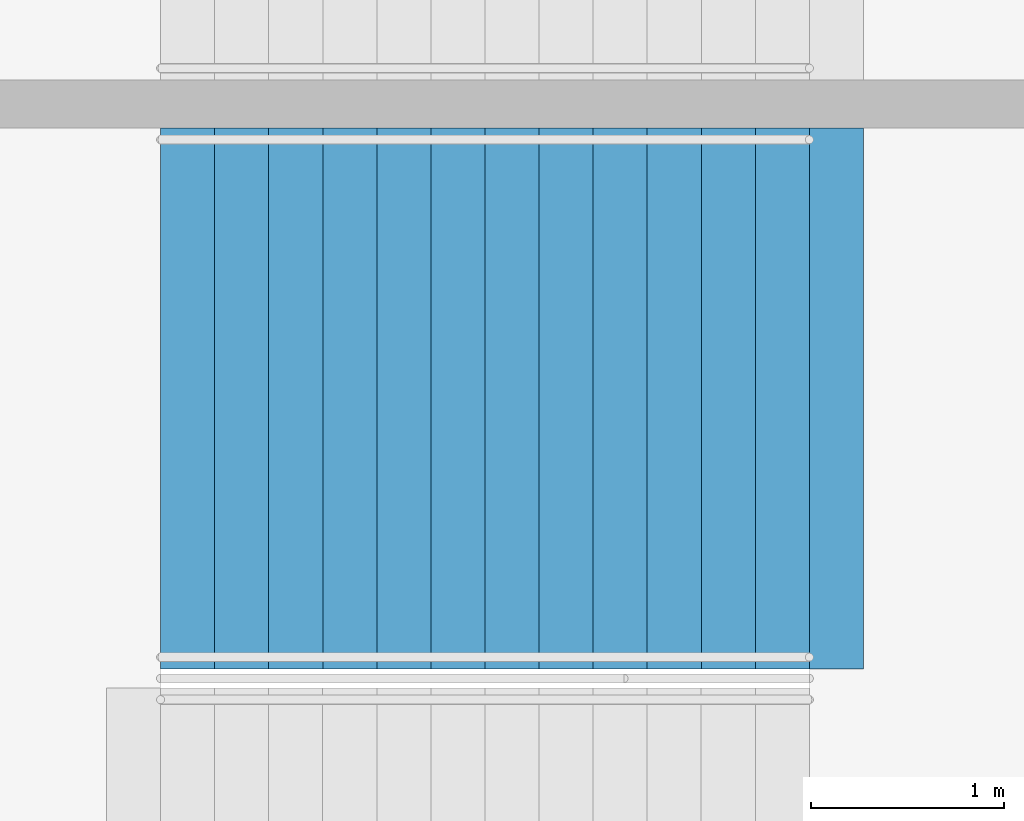
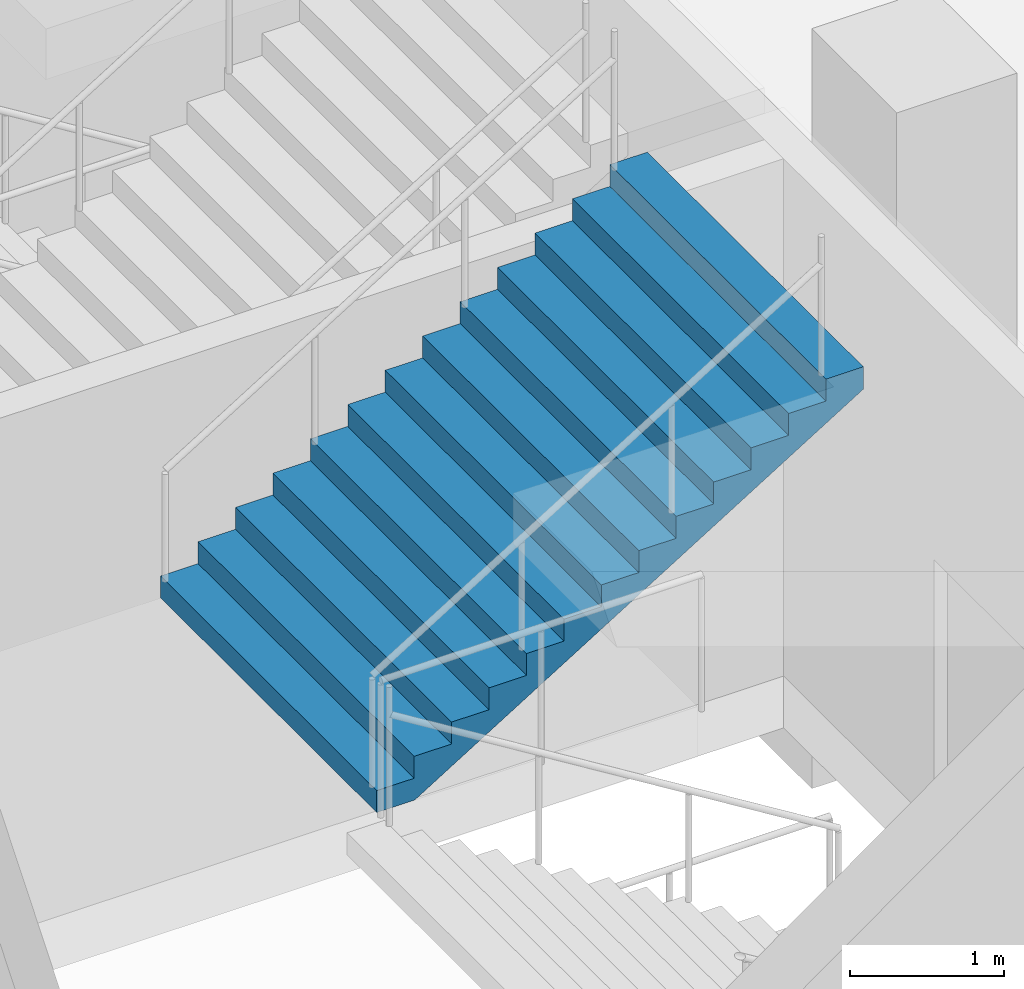
# One storey, part 132 of 199: 1 stair flight, 1 element without a shape of its own.
"""IFC4 building model written with IfcOpenShell, lengths in metres."""

from ifc_helpers import new_model, si_unit, direction, frame, origin, place, context, subcontext, project, spatial, faceted_brep, material, type_object, element, aggregate, save


model = new_model("IFC4")

# Units and contexts
model_context = context("Model", 3, precision=1e-05, world=origin(), true_north=direction((0.0, 1.0)))
body_context = subcontext(model_context, "Body", "Model", "MODEL_VIEW")
ifc_project = project(units=[si_unit("LENGTHUNIT", "METRE"), si_unit("AREAUNIT", "SQUARE_METRE"), si_unit("VOLUMEUNIT", "CUBIC_METRE"), si_unit("PLANEANGLEUNIT", "RADIAN"), si_unit("MASSUNIT", "GRAM", prefix="KILO")], contexts=[model_context])

# Site, building, storey
site_placement = place(None, origin())
site = spatial("IfcSite", under=ifc_project, at=site_placement, CompositionType="ELEMENT")
building_placement = place(site_placement, origin())
building = spatial("IfcBuilding", under=site, at=building_placement, Name="Ogive Plaza Stadium", CompositionType="ELEMENT")
storey_placement = place(building_placement, frame((0.0, 0.0, 9.0)))
storey = spatial("IfcBuildingStorey", under=building, at=storey_placement, Name="L02", CompositionType="ELEMENT", Elevation=9.0)

# Stair, stair flight
ifc_material_1 = material(Name="Concrete C40/50", Category="concrete")
stair_type = type_object("IfcStairType", Name="Exit stair", PredefinedType="STRAIGHT_RUN_STAIR", material=ifc_material_1)
stair_placement = place(storey_placement, origin())
stair = element("IfcStair", 1, at=stair_placement, inside=storey, type_object=stair_type, Name="Exit stair ST26B L02 to L03", PredefinedType="STRAIGHT_RUN_STAIR")
ifc_material_2 = material(Name="Concrete C40/50", Category="concrete")
stair_flight_type = type_object("IfcStairFlightType", Name="Exit stair flight", PredefinedType="STRAIGHT", material=ifc_material_2)
stair_flight_placement = place(storey_placement, frame((-79.7099609375, 20.97509765625, 2.25), z_axis=(0.0, 0.0, 1.0), x_axis=(1.0, 0.0, 0.0)))
stair_flight = element("IfcStairFlight", 2, at=stair_flight_placement, type_object=stair_flight_type, Name="ST26B flight 2", NumberOfRisers=13, NumberOfTreads=12, PredefinedType="STRAIGHT", RiserHeight=0.173076923, TreadLength=0.28, context=body_context, shape_type="Brep", body=[
    faceted_brep([(0.28515625, -1.39990234375, 0.0), (3.639892578125, -1.39990234375, 2.07373046875), (3.639892578125, -1.39990234375, 2.25), (3.360107421875, -1.39990234375, 2.25), (3.360107421875, -1.39990234375, 2.076904296875), (3.080078125, -1.39990234375, 2.076904296875), (3.080078125, -1.39990234375, 1.90380859375), (2.800048828125, -1.39990234375, 1.90380859375), (2.800048828125, -1.39990234375, 1.730712890625), (2.52001953125, -1.39990234375, 1.730712890625), (2.52001953125, -1.39990234375, 1.5576171875), (2.239990234375, -1.39990234375, 1.5576171875), (2.239990234375, -1.39990234375, 1.384521484375), (1.9599609375, -1.39990234375, 1.384521484375), (1.9599609375, -1.39990234375, 1.21142578125), (1.679931640625, -1.39990234375, 1.21142578125), (1.679931640625, -1.39990234375, 1.03857421875), (1.39990234375, -1.39990234375, 1.03857421875), (1.39990234375, -1.39990234375, 0.865478515625), (1.1201171875, -1.39990234375, 0.865478515625), (1.1201171875, -1.39990234375, 0.6923828125), (0.840087890625, -1.39990234375, 0.6923828125), (0.840087890625, -1.39990234375, 0.519287109375), (0.56005859375, -1.39990234375, 0.519287109375), (0.56005859375, -1.39990234375, 0.34619140625), (0.280029296875, -1.39990234375, 0.34619140625), (0.280029296875, -1.39990234375, 0.173095703125), (0.0, -1.39990234375, 0.173095703125), (0.0, -1.39990234375, 0.0), (0.0, 1.39990234375, 0.0), (0.0, 1.39990234375, 0.173095703125), (0.280029296875, 1.39990234375, 0.173095703125), (0.280029296875, 1.39990234375, 0.34619140625), (0.56005859375, 1.39990234375, 0.34619140625), (0.56005859375, 1.39990234375, 0.519287109375), (0.840087890625, 1.39990234375, 0.519287109375), (0.840087890625, 1.39990234375, 0.6923828125), (1.1201171875, 1.39990234375, 0.6923828125), (1.1201171875, 1.39990234375, 0.865478515625), (1.39990234375, 1.39990234375, 0.865478515625), (1.39990234375, 1.39990234375, 1.03857421875), (1.679931640625, 1.39990234375, 1.03857421875), (1.679931640625, 1.39990234375, 1.21142578125), (1.9599609375, 1.39990234375, 1.21142578125), (1.9599609375, 1.39990234375, 1.384521484375), (2.239990234375, 1.39990234375, 1.384521484375), (2.239990234375, 1.39990234375, 1.5576171875), (2.52001953125, 1.39990234375, 1.5576171875), (2.52001953125, 1.39990234375, 1.730712890625), (2.800048828125, 1.39990234375, 1.730712890625), (2.800048828125, 1.39990234375, 1.90380859375), (3.080078125, 1.39990234375, 1.90380859375), (3.080078125, 1.39990234375, 2.076904296875), (3.360107421875, 1.39990234375, 2.076904296875), (3.360107421875, 1.39990234375, 2.25), (3.639892578125, 1.39990234375, 2.25), (3.639892578125, 1.39990234375, 2.07373046875), (0.28515625, 1.39990234375, 0.0), (0.28515625, -1.0888671875, 0.0), (3.639892578125, -1.0888671875, 2.07373046875), (0.28515625, -0.77783203125, 0.0), (3.639892578125, -0.77783203125, 2.07373046875), (0.28515625, -0.466796875, 0.0), (3.639892578125, -0.466796875, 2.07373046875), (0.28515625, -0.155517578125, 0.0), (3.639892578125, -0.155517578125, 2.07373046875), (0.28515625, 0.155517578125, 0.0), (3.639892578125, 0.155517578125, 2.07373046875), (0.28515625, 0.466796875, 0.0), (3.639892578125, 0.466796875, 2.07373046875), (0.28515625, 0.77783203125, 0.0), (3.639892578125, 0.77783203125, 2.07373046875), (0.28515625, 1.0888671875, 0.0), (3.639892578125, 1.0888671875, 2.07373046875), (3.639892578125, -1.0888671875, 2.25), (3.639892578125, -0.77783203125, 2.25), (3.639892578125, -0.466796875, 2.25), (3.639892578125, -0.155517578125, 2.25), (3.639892578125, 0.155517578125, 2.25), (3.639892578125, 0.466796875, 2.25), (3.639892578125, 0.77783203125, 2.25), (3.639892578125, 1.0888671875, 2.25), (3.360107421875, -1.0888671875, 2.25), (3.360107421875, -0.77783203125, 2.25), (3.360107421875, -0.466796875, 2.25), (3.360107421875, -0.155517578125, 2.25), (3.360107421875, 0.155517578125, 2.25), (3.360107421875, 0.466796875, 2.25), (3.360107421875, 0.77783203125, 2.25), (3.360107421875, 1.0888671875, 2.25), (3.360107421875, -1.0888671875, 2.076904296875), (3.360107421875, -0.77783203125, 2.076904296875), (3.360107421875, -0.466796875, 2.076904296875), (3.360107421875, -0.155517578125, 2.076904296875), (3.360107421875, 0.155517578125, 2.076904296875), (3.360107421875, 0.466796875, 2.076904296875), (3.360107421875, 0.77783203125, 2.076904296875), (3.360107421875, 1.0888671875, 2.076904296875), (3.080078125, -1.0888671875, 2.076904296875), (3.080078125, -0.77783203125, 2.076904296875), (3.080078125, -0.466796875, 2.076904296875), (3.080078125, -0.155517578125, 2.076904296875), (3.080078125, 0.155517578125, 2.076904296875), (3.080078125, 0.466796875, 2.076904296875), (3.080078125, 0.77783203125, 2.076904296875), (3.080078125, 1.0888671875, 2.076904296875), (3.080078125, -1.0888671875, 1.90380859375), (3.080078125, -0.77783203125, 1.90380859375), (3.080078125, -0.466796875, 1.90380859375), (3.080078125, -0.155517578125, 1.90380859375), (3.080078125, 0.155517578125, 1.90380859375), (3.080078125, 0.466796875, 1.90380859375), (3.080078125, 0.77783203125, 1.90380859375), (3.080078125, 1.0888671875, 1.90380859375), (2.800048828125, -1.0888671875, 1.90380859375), (2.800048828125, -0.77783203125, 1.90380859375), (2.800048828125, -0.466796875, 1.90380859375), (2.800048828125, -0.155517578125, 1.90380859375), (2.800048828125, 0.155517578125, 1.90380859375), (2.800048828125, 0.466796875, 1.90380859375), (2.800048828125, 0.77783203125, 1.90380859375), (2.800048828125, 1.0888671875, 1.90380859375), (2.800048828125, -1.0888671875, 1.730712890625), (2.800048828125, -0.77783203125, 1.730712890625), (2.800048828125, -0.466796875, 1.730712890625), (2.800048828125, -0.155517578125, 1.730712890625), (2.800048828125, 0.155517578125, 1.730712890625), (2.800048828125, 0.466796875, 1.730712890625), (2.800048828125, 0.77783203125, 1.730712890625), (2.800048828125, 1.0888671875, 1.730712890625), (2.52001953125, -1.0888671875, 1.730712890625), (2.52001953125, -0.77783203125, 1.730712890625), (2.52001953125, -0.466796875, 1.730712890625), (2.52001953125, -0.155517578125, 1.730712890625), (2.52001953125, 0.155517578125, 1.730712890625), (2.52001953125, 0.466796875, 1.730712890625), (2.52001953125, 0.77783203125, 1.730712890625), (2.52001953125, 1.0888671875, 1.730712890625), (2.52001953125, -1.0888671875, 1.5576171875), (2.52001953125, -0.77783203125, 1.5576171875), (2.52001953125, -0.466796875, 1.5576171875), (2.52001953125, -0.155517578125, 1.5576171875), (2.52001953125, 0.155517578125, 1.5576171875), (2.52001953125, 0.466796875, 1.5576171875), (2.52001953125, 0.77783203125, 1.5576171875), (2.52001953125, 1.0888671875, 1.5576171875), (2.239990234375, -1.0888671875, 1.5576171875), (2.239990234375, -0.77783203125, 1.5576171875), (2.239990234375, -0.466796875, 1.5576171875), (2.239990234375, -0.155517578125, 1.5576171875), (2.239990234375, 0.155517578125, 1.5576171875), (2.239990234375, 0.466796875, 1.5576171875), (2.239990234375, 0.77783203125, 1.5576171875), (2.239990234375, 1.0888671875, 1.5576171875), (2.239990234375, -1.0888671875, 1.384521484375), (2.239990234375, -0.77783203125, 1.384521484375), (2.239990234375, -0.466796875, 1.384521484375), (2.239990234375, -0.155517578125, 1.384521484375), (2.239990234375, 0.155517578125, 1.384521484375), (2.239990234375, 0.466796875, 1.384521484375), (2.239990234375, 0.77783203125, 1.384521484375), (2.239990234375, 1.0888671875, 1.384521484375), (1.9599609375, -1.0888671875, 1.384521484375), (1.9599609375, -0.77783203125, 1.384521484375), (1.9599609375, -0.466796875, 1.384521484375), (1.9599609375, -0.155517578125, 1.384521484375), (1.9599609375, 0.155517578125, 1.384521484375), (1.9599609375, 0.466796875, 1.384521484375), (1.9599609375, 0.77783203125, 1.384521484375), (1.9599609375, 1.0888671875, 1.384521484375), (1.9599609375, -1.0888671875, 1.21142578125), (1.9599609375, -0.77783203125, 1.21142578125), (1.9599609375, -0.466796875, 1.21142578125), (1.9599609375, -0.155517578125, 1.21142578125), (1.9599609375, 0.155517578125, 1.21142578125), (1.9599609375, 0.466796875, 1.21142578125), (1.9599609375, 0.77783203125, 1.21142578125), (1.9599609375, 1.0888671875, 1.21142578125), (1.679931640625, -1.0888671875, 1.21142578125), (1.679931640625, -0.77783203125, 1.21142578125), (1.679931640625, -0.466796875, 1.21142578125), (1.679931640625, -0.155517578125, 1.21142578125), (1.679931640625, 0.155517578125, 1.21142578125), (1.679931640625, 0.466796875, 1.21142578125), (1.679931640625, 0.77783203125, 1.21142578125), (1.679931640625, 1.0888671875, 1.21142578125), (1.679931640625, -1.0888671875, 1.03857421875), (1.679931640625, -0.77783203125, 1.03857421875), (1.679931640625, -0.466796875, 1.03857421875), (1.679931640625, -0.155517578125, 1.03857421875), (1.679931640625, 0.155517578125, 1.03857421875), (1.679931640625, 0.466796875, 1.03857421875), (1.679931640625, 0.77783203125, 1.03857421875), (1.679931640625, 1.0888671875, 1.03857421875), (1.39990234375, -1.0888671875, 1.03857421875), (1.39990234375, -0.77783203125, 1.03857421875), (1.39990234375, -0.466796875, 1.03857421875), (1.39990234375, -0.155517578125, 1.03857421875), (1.39990234375, 0.155517578125, 1.03857421875), (1.39990234375, 0.466796875, 1.03857421875), (1.39990234375, 0.77783203125, 1.03857421875), (1.39990234375, 1.0888671875, 1.03857421875), (1.39990234375, -1.0888671875, 0.865478515625), (1.39990234375, -0.77783203125, 0.865478515625), (1.39990234375, -0.466796875, 0.865478515625), (1.39990234375, -0.155517578125, 0.865478515625), (1.39990234375, 0.155517578125, 0.865478515625), (1.39990234375, 0.466796875, 0.865478515625), (1.39990234375, 0.77783203125, 0.865478515625), (1.39990234375, 1.0888671875, 0.865478515625), (1.1201171875, -1.0888671875, 0.865478515625), (1.1201171875, -0.77783203125, 0.865478515625), (1.1201171875, -0.466796875, 0.865478515625), (1.1201171875, -0.155517578125, 0.865478515625), (1.1201171875, 0.155517578125, 0.865478515625), (1.1201171875, 0.466796875, 0.865478515625), (1.1201171875, 0.77783203125, 0.865478515625), (1.1201171875, 1.0888671875, 0.865478515625), (1.1201171875, -1.0888671875, 0.6923828125), (1.1201171875, -0.77783203125, 0.6923828125), (1.1201171875, -0.466796875, 0.6923828125), (1.1201171875, -0.155517578125, 0.6923828125), (1.1201171875, 0.155517578125, 0.6923828125), (1.1201171875, 0.466796875, 0.6923828125), (1.1201171875, 0.77783203125, 0.6923828125), (1.1201171875, 1.0888671875, 0.6923828125), (0.840087890625, -1.0888671875, 0.6923828125), (0.840087890625, -0.77783203125, 0.6923828125), (0.840087890625, -0.466796875, 0.6923828125), (0.840087890625, -0.155517578125, 0.6923828125), (0.840087890625, 0.155517578125, 0.6923828125), (0.840087890625, 0.466796875, 0.6923828125), (0.840087890625, 0.77783203125, 0.6923828125), (0.840087890625, 1.0888671875, 0.6923828125), (0.840087890625, -1.0888671875, 0.519287109375), (0.840087890625, -0.77783203125, 0.519287109375), (0.840087890625, -0.466796875, 0.519287109375), (0.840087890625, -0.155517578125, 0.519287109375), (0.840087890625, 0.155517578125, 0.519287109375), (0.840087890625, 0.466796875, 0.519287109375), (0.840087890625, 0.77783203125, 0.519287109375), (0.840087890625, 1.0888671875, 0.519287109375), (0.56005859375, -1.0888671875, 0.519287109375), (0.56005859375, -0.77783203125, 0.519287109375), (0.56005859375, -0.466796875, 0.519287109375), (0.56005859375, -0.155517578125, 0.519287109375), (0.56005859375, 0.155517578125, 0.519287109375), (0.56005859375, 0.466796875, 0.519287109375), (0.56005859375, 0.77783203125, 0.519287109375), (0.56005859375, 1.0888671875, 0.519287109375), (0.56005859375, -1.0888671875, 0.34619140625), (0.56005859375, -0.77783203125, 0.34619140625), (0.56005859375, -0.466796875, 0.34619140625), (0.56005859375, -0.155517578125, 0.34619140625), (0.56005859375, 0.155517578125, 0.34619140625), (0.56005859375, 0.466796875, 0.34619140625), (0.56005859375, 0.77783203125, 0.34619140625), (0.56005859375, 1.0888671875, 0.34619140625), (0.280029296875, -1.0888671875, 0.34619140625), (0.280029296875, -0.77783203125, 0.34619140625), (0.280029296875, -0.466796875, 0.34619140625), (0.280029296875, -0.155517578125, 0.34619140625), (0.280029296875, 0.155517578125, 0.34619140625), (0.280029296875, 0.466796875, 0.34619140625), (0.280029296875, 0.77783203125, 0.34619140625), (0.280029296875, 1.0888671875, 0.34619140625), (0.280029296875, -1.0888671875, 0.173095703125), (0.280029296875, -0.77783203125, 0.173095703125), (0.280029296875, -0.466796875, 0.173095703125), (0.280029296875, -0.155517578125, 0.173095703125), (0.280029296875, 0.155517578125, 0.173095703125), (0.280029296875, 0.466796875, 0.173095703125), (0.280029296875, 0.77783203125, 0.173095703125), (0.280029296875, 1.0888671875, 0.173095703125), (0.0, -1.0888671875, 0.173095703125), (0.0, -0.77783203125, 0.173095703125), (0.0, -0.466796875, 0.173095703125), (0.0, -0.155517578125, 0.173095703125), (0.0, 0.155517578125, 0.173095703125), (0.0, 0.466796875, 0.173095703125), (0.0, 0.77783203125, 0.173095703125), (0.0, 1.0888671875, 0.173095703125), (0.0, -1.0888671875, 0.0), (0.0, -0.77783203125, 0.0), (0.0, -0.466796875, 0.0), (0.0, -0.155517578125, 0.0), (0.0, 0.155517578125, 0.0), (0.0, 0.466796875, 0.0), (0.0, 0.77783203125, 0.0), (0.0, 1.0888671875, 0.0)], [[[0, 1, 2, 3, 4, 5, 6, 7, 8, 9, 10, 11, 12, 13, 14, 15, 16, 17, 18, 19, 20, 21, 22, 23, 24, 25, 26, 27, 28]], [[29, 30, 31, 32, 33, 34, 35, 36, 37, 38, 39, 40, 41, 42, 43, 44, 45, 46, 47, 48, 49, 50, 51, 52, 53, 54, 55, 56, 57]], [[0, 58, 59, 1]], [[58, 60, 61, 59]], [[60, 62, 63, 61]], [[62, 64, 65, 63]], [[64, 66, 67, 65]], [[66, 68, 69, 67]], [[68, 70, 71, 69]], [[70, 72, 73, 71]], [[72, 57, 56, 73]], [[1, 59, 74, 2]], [[59, 61, 75, 74]], [[61, 63, 76, 75]], [[63, 65, 77, 76]], [[65, 67, 78, 77]], [[67, 69, 79, 78]], [[69, 71, 80, 79]], [[71, 73, 81, 80]], [[73, 56, 55, 81]], [[2, 74, 82, 3]], [[74, 75, 83, 82]], [[75, 76, 84, 83]], [[76, 77, 85, 84]], [[77, 78, 86, 85]], [[78, 79, 87, 86]], [[79, 80, 88, 87]], [[80, 81, 89, 88]], [[81, 55, 54, 89]], [[3, 82, 90, 4]], [[82, 83, 91, 90]], [[83, 84, 92, 91]], [[84, 85, 93, 92]], [[85, 86, 94, 93]], [[86, 87, 95, 94]], [[87, 88, 96, 95]], [[88, 89, 97, 96]], [[89, 54, 53, 97]], [[4, 90, 98, 5]], [[90, 91, 99, 98]], [[91, 92, 100, 99]], [[92, 93, 101, 100]], [[93, 94, 102, 101]], [[94, 95, 103, 102]], [[95, 96, 104, 103]], [[96, 97, 105, 104]], [[97, 53, 52, 105]], [[5, 98, 106, 6]], [[98, 99, 107, 106]], [[99, 100, 108, 107]], [[100, 101, 109, 108]], [[101, 102, 110, 109]], [[102, 103, 111, 110]], [[103, 104, 112, 111]], [[104, 105, 113, 112]], [[105, 52, 51, 113]], [[6, 106, 114, 7]], [[106, 107, 115, 114]], [[107, 108, 116, 115]], [[108, 109, 117, 116]], [[109, 110, 118, 117]], [[110, 111, 119, 118]], [[111, 112, 120, 119]], [[112, 113, 121, 120]], [[113, 51, 50, 121]], [[7, 114, 122, 8]], [[114, 115, 123, 122]], [[115, 116, 124, 123]], [[116, 117, 125, 124]], [[117, 118, 126, 125]], [[118, 119, 127, 126]], [[119, 120, 128, 127]], [[120, 121, 129, 128]], [[121, 50, 49, 129]], [[8, 122, 130, 9]], [[122, 123, 131, 130]], [[123, 124, 132, 131]], [[124, 125, 133, 132]], [[125, 126, 134, 133]], [[126, 127, 135, 134]], [[127, 128, 136, 135]], [[128, 129, 137, 136]], [[129, 49, 48, 137]], [[9, 130, 138, 10]], [[130, 131, 139, 138]], [[131, 132, 140, 139]], [[132, 133, 141, 140]], [[133, 134, 142, 141]], [[134, 135, 143, 142]], [[135, 136, 144, 143]], [[136, 137, 145, 144]], [[137, 48, 47, 145]], [[10, 138, 146, 11]], [[138, 139, 147, 146]], [[139, 140, 148, 147]], [[140, 141, 149, 148]], [[141, 142, 150, 149]], [[142, 143, 151, 150]], [[143, 144, 152, 151]], [[144, 145, 153, 152]], [[145, 47, 46, 153]], [[11, 146, 154, 12]], [[146, 147, 155, 154]], [[147, 148, 156, 155]], [[148, 149, 157, 156]], [[149, 150, 158, 157]], [[150, 151, 159, 158]], [[151, 152, 160, 159]], [[152, 153, 161, 160]], [[153, 46, 45, 161]], [[12, 154, 162, 13]], [[154, 155, 163, 162]], [[155, 156, 164, 163]], [[156, 157, 165, 164]], [[157, 158, 166, 165]], [[158, 159, 167, 166]], [[159, 160, 168, 167]], [[160, 161, 169, 168]], [[161, 45, 44, 169]], [[13, 162, 170, 14]], [[162, 163, 171, 170]], [[163, 164, 172, 171]], [[164, 165, 173, 172]], [[165, 166, 174, 173]], [[166, 167, 175, 174]], [[167, 168, 176, 175]], [[168, 169, 177, 176]], [[169, 44, 43, 177]], [[14, 170, 178, 15]], [[170, 171, 179, 178]], [[171, 172, 180, 179]], [[172, 173, 181, 180]], [[173, 174, 182, 181]], [[174, 175, 183, 182]], [[175, 176, 184, 183]], [[176, 177, 185, 184]], [[177, 43, 42, 185]], [[15, 178, 186, 16]], [[178, 179, 187, 186]], [[179, 180, 188, 187]], [[180, 181, 189, 188]], [[181, 182, 190, 189]], [[182, 183, 191, 190]], [[183, 184, 192, 191]], [[184, 185, 193, 192]], [[185, 42, 41, 193]], [[16, 186, 194, 17]], [[186, 187, 195, 194]], [[187, 188, 196, 195]], [[188, 189, 197, 196]], [[189, 190, 198, 197]], [[190, 191, 199, 198]], [[191, 192, 200, 199]], [[192, 193, 201, 200]], [[193, 41, 40, 201]], [[17, 194, 202, 18]], [[194, 195, 203, 202]], [[195, 196, 204, 203]], [[196, 197, 205, 204]], [[197, 198, 206, 205]], [[198, 199, 207, 206]], [[199, 200, 208, 207]], [[200, 201, 209, 208]], [[201, 40, 39, 209]], [[18, 202, 210, 19]], [[202, 203, 211, 210]], [[203, 204, 212, 211]], [[204, 205, 213, 212]], [[205, 206, 214, 213]], [[206, 207, 215, 214]], [[207, 208, 216, 215]], [[208, 209, 217, 216]], [[209, 39, 38, 217]], [[19, 210, 218, 20]], [[210, 211, 219, 218]], [[211, 212, 220, 219]], [[212, 213, 221, 220]], [[213, 214, 222, 221]], [[214, 215, 223, 222]], [[215, 216, 224, 223]], [[216, 217, 225, 224]], [[217, 38, 37, 225]], [[20, 218, 226, 21]], [[218, 219, 227, 226]], [[219, 220, 228, 227]], [[220, 221, 229, 228]], [[221, 222, 230, 229]], [[222, 223, 231, 230]], [[223, 224, 232, 231]], [[224, 225, 233, 232]], [[225, 37, 36, 233]], [[21, 226, 234, 22]], [[226, 227, 235, 234]], [[227, 228, 236, 235]], [[228, 229, 237, 236]], [[229, 230, 238, 237]], [[230, 231, 239, 238]], [[231, 232, 240, 239]], [[232, 233, 241, 240]], [[233, 36, 35, 241]], [[22, 234, 242, 23]], [[234, 235, 243, 242]], [[235, 236, 244, 243]], [[236, 237, 245, 244]], [[237, 238, 246, 245]], [[238, 239, 247, 246]], [[239, 240, 248, 247]], [[240, 241, 249, 248]], [[241, 35, 34, 249]], [[23, 242, 250, 24]], [[242, 243, 251, 250]], [[243, 244, 252, 251]], [[244, 245, 253, 252]], [[245, 246, 254, 253]], [[246, 247, 255, 254]], [[247, 248, 256, 255]], [[248, 249, 257, 256]], [[249, 34, 33, 257]], [[24, 250, 258, 25]], [[250, 251, 259, 258]], [[251, 252, 260, 259]], [[252, 253, 261, 260]], [[253, 254, 262, 261]], [[254, 255, 263, 262]], [[255, 256, 264, 263]], [[256, 257, 265, 264]], [[257, 33, 32, 265]], [[25, 258, 266, 26]], [[258, 259, 267, 266]], [[259, 260, 268, 267]], [[260, 261, 269, 268]], [[261, 262, 270, 269]], [[262, 263, 271, 270]], [[263, 264, 272, 271]], [[264, 265, 273, 272]], [[265, 32, 31, 273]], [[26, 266, 274, 27]], [[266, 267, 275, 274]], [[267, 268, 276, 275]], [[268, 269, 277, 276]], [[269, 270, 278, 277]], [[270, 271, 279, 278]], [[271, 272, 280, 279]], [[272, 273, 281, 280]], [[273, 31, 30, 281]], [[27, 274, 282, 28]], [[274, 275, 283, 282]], [[275, 276, 284, 283]], [[276, 277, 285, 284]], [[277, 278, 286, 285]], [[278, 279, 287, 286]], [[279, 280, 288, 287]], [[280, 281, 289, 288]], [[281, 30, 29, 289]], [[28, 282, 58, 0]], [[282, 283, 60, 58]], [[283, 284, 62, 60]], [[284, 285, 64, 62]], [[285, 286, 66, 64]], [[286, 287, 68, 66]], [[287, 288, 70, 68]], [[288, 289, 72, 70]], [[289, 29, 57, 72]]]),
])
aggregate(stair, [stair_flight])

save(model, "model.ifc")
